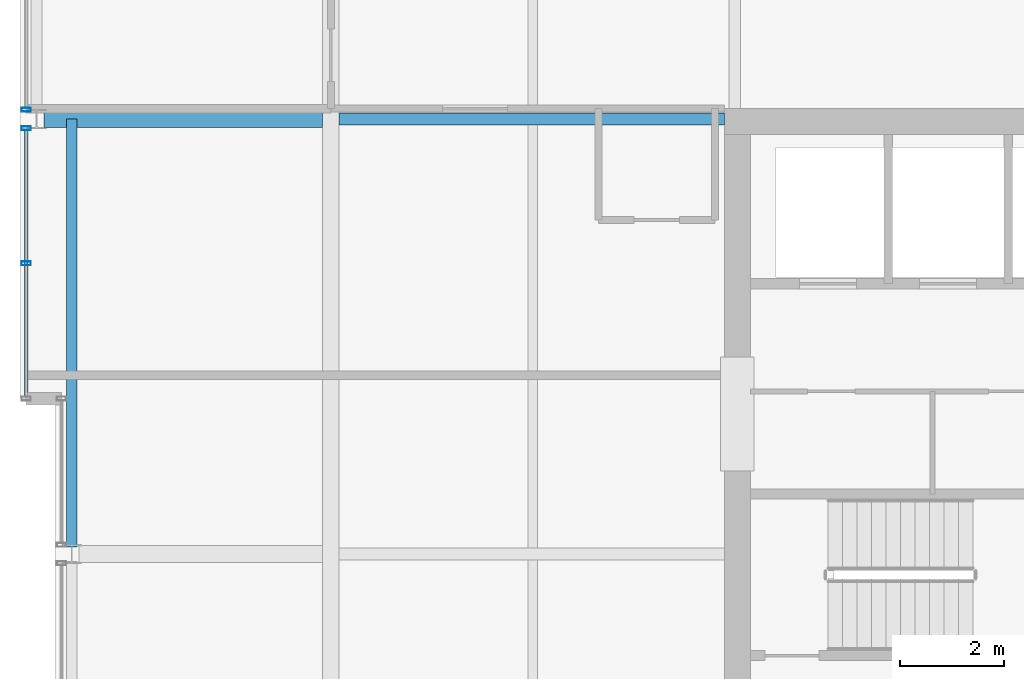
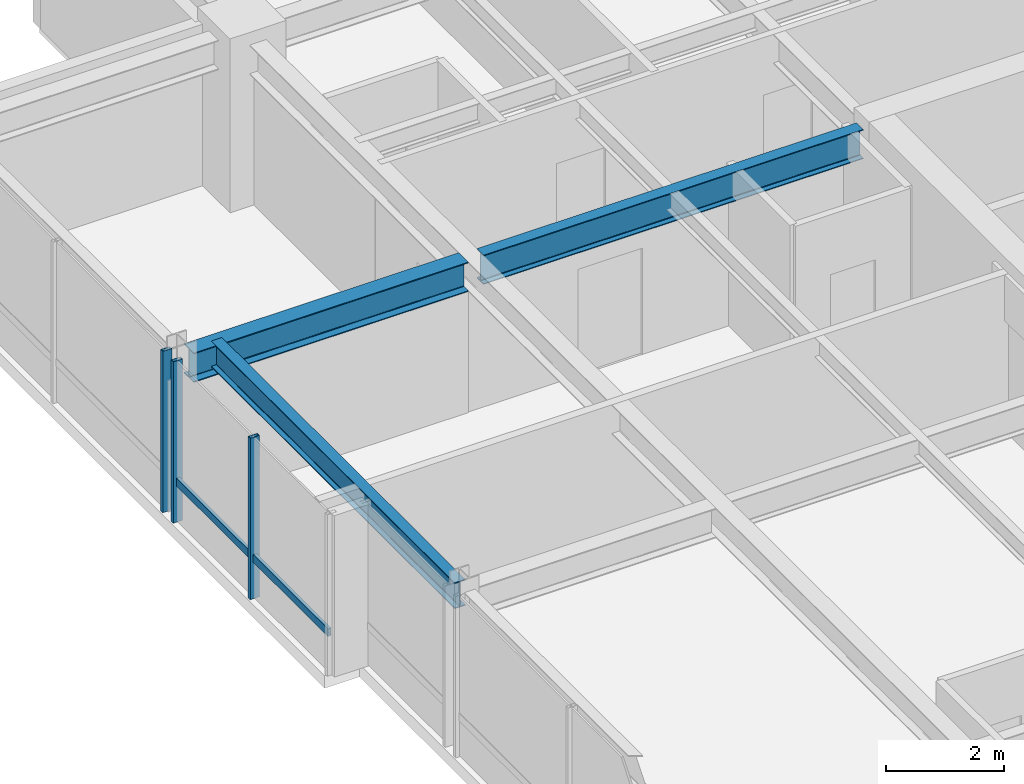
# One storey, part 17 of 32: 4 members, 3 beams, 2 elements without a shape of their own.
"""IFC4 building model written with IfcOpenShell, lengths in metres."""

from ifc_helpers import new_model, si_unit, direction, frame, origin, origin_2d, place, context, subcontext, project, spatial, hollow_rectangle, i_section, extrude, material, layer, layer_set, material_profile, profile_set, type_object, element, aggregate, save


model = new_model("IFC4")

# Units and contexts
model_context = context("Model", 3, precision=1e-05, world=origin(), true_north=direction((0.0, 1.0)))
body_context = subcontext(model_context, "Body", "Model", "MODEL_VIEW")
ifc_project = project(units=[si_unit("LENGTHUNIT", "METRE"), si_unit("AREAUNIT", "SQUARE_METRE"), si_unit("VOLUMEUNIT", "CUBIC_METRE"), si_unit("PLANEANGLEUNIT", "RADIAN"), si_unit("MASSUNIT", "GRAM", prefix="KILO")], contexts=[model_context])

# Site, building, storey
site_placement = place(None, origin())
site = spatial("IfcSite", under=ifc_project, at=site_placement, CompositionType="ELEMENT")
building_placement = place(site_placement, origin())
building = spatial("IfcBuilding", under=site, at=building_placement, Name="Drelvath Grand Hotel", CompositionType="ELEMENT")
storey_placement = place(building_placement, frame((0.0, 0.0, 237.5)))
storey = spatial("IfcBuildingStorey", under=building, at=storey_placement, Name="L62", CompositionType="ELEMENT", Elevation=237.5)

# Curtain wall, members
ifc_material_1 = material(Name="Platinum-Mist Anodised Aluminium Frame", Category="aluminium")
ifc_layer = layer(ifc_material_1, 0.199951171875)
ifc_layer_set = layer_set([ifc_layer], Name="Platinum-Mist Anodised Aluminium Frame")
curtain_wall_type = type_object("IfcCurtainWallType", Name="Stick Curtain Wall CW-05 Platinum Mist High-Rise", PredefinedType="NOTDEFINED", material=ifc_layer_set)
curtain_wall_1_placement = place(storey_placement, origin())
curtain_wall_1 = element("IfcCurtainWall", 1, at=curtain_wall_1_placement, inside=storey, type_object=curtain_wall_type, Name="L62 CW-05 Curtain Wall CW05-L62-WN1", PredefinedType="NOTDEFINED")
ifc_material_profile_1 = material_profile(ifc_material_1, hollow_rectangle(XDim=0.06494140625, YDim=0.159912109375, WallThickness=0.00390625, at=origin_2d()), Name="HSS160X65X4")
ifc_profile_set_1 = profile_set([ifc_material_profile_1], Name="Platinum-Mist Anodised Aluminium Frame")
member_type_1 = type_object("IfcMemberType", Name="Curtain Wall Horizontal Transom CW-05 HSS160X65X4", PredefinedType="USERDEFINED", material=ifc_profile_set_1)
member_1_placement = place(storey_placement, frame((-22.080078125, 30.0400390625, 0.8349609375), z_axis=(0.0, 1.0, 0.0), x_axis=(-1.0, 0.0, 0.0)))
member_1 = element("IfcMember", 2, at=member_1_placement, type_object=member_type_1, Name="CW05-L62-WN1 Sill Transom", ObjectType="TRANSOM", PredefinedType="USERDEFINED", context=body_context, shape_type="SweptSolid", body=[
    extrude(hollow_rectangle(XDim=0.06494140625, YDim=0.159912109375, WallThickness=0.00390625, at=origin_2d()), origin(), (0.0, 0.0, 1.0), 5.141845703125),
])
ifc_material_profile_2 = material_profile(ifc_material_1, hollow_rectangle(XDim=0.074951171875, YDim=0.179931640625, WallThickness=0.0048828125, at=origin_2d()), Name="HSS180X75X5")
ifc_profile_set_2 = profile_set([ifc_material_profile_2], Name="Platinum-Mist Anodised Aluminium Frame")
member_type_2 = type_object("IfcMemberType", Name="Curtain Wall Vertical Mullion CW-05 HSS180X75X5", PredefinedType="MULLION", material=ifc_profile_set_2)
member_2_placement = place(storey_placement, frame((-22.080078125, 32.61083984375, 0.0), z_axis=(0.0, 0.0, 1.0), x_axis=(0.0, 1.0, 0.0)))
member_2 = element("IfcMember", 3, at=member_2_placement, type_object=member_type_2, Name="CW05-L62-WN1 Mullion 2", PredefinedType="MULLION", context=body_context, shape_type="SweptSolid", body=[
    extrude(hollow_rectangle(XDim=0.074951171875, YDim=0.179931640625, WallThickness=0.0048828125, at=origin_2d()), origin(), (0.0, 0.0, 1.0), 3.340087890625),
])
member_3_placement = place(storey_placement, frame((-22.080078125, 35.2216796875, 0.0), z_axis=(0.0, 0.0, 1.0), x_axis=(0.0, 1.0, 0.0)))
member_3 = element("IfcMember", 4, at=member_3_placement, type_object=member_type_2, Name="CW05-L62-WN1 Mullion 3", PredefinedType="MULLION", context=body_context, shape_type="SweptSolid", body=[
    extrude(hollow_rectangle(XDim=0.074951171875, YDim=0.179931640625, WallThickness=0.0048828125, at=origin_2d()), origin(), (0.0, 0.0, 1.0), 3.340087890625),
])
aggregate(curtain_wall_1, [member_2, member_3, member_1])

# Curtain wall, member
curtain_wall_2_placement = place(storey_placement, origin())
curtain_wall_2 = element("IfcCurtainWall", 5, at=curtain_wall_2_placement, inside=storey, type_object=curtain_wall_type, Name="L62 CW-05 Curtain Wall CW05-L62-WN2", PredefinedType="NOTDEFINED")
member_4_placement = place(storey_placement, frame((-22.080078125, 35.578125, 0.0), z_axis=(0.0, 0.0, 1.0), x_axis=(0.0, 1.0, 0.0)))
member_4 = element("IfcMember", 6, at=member_4_placement, type_object=member_type_2, Name="CW05-L62-WN2 Mullion 1", PredefinedType="MULLION", context=body_context, shape_type="SweptSolid", body=[
    extrude(hollow_rectangle(XDim=0.074951171875, YDim=0.179931640625, WallThickness=0.0048828125, at=origin_2d()), origin(), (0.0, 0.0, 1.0), 3.340087890625),
])
aggregate(curtain_wall_2, [member_4])

# Beams
ifc_material_2 = material(Name="Steel ASTM A992 Gr 50", Category="steel")
ifc_material_profile_3 = material_profile(ifc_material_2, i_section(OverallWidth=0.210205078125, OverallDepth=0.53662109375, WebThickness=0.010986328125, FlangeThickness=0.017333984375, FilletRadius=0.01806640625, at=origin_2d()), Name="W21X68")
ifc_profile_set_3 = profile_set([ifc_material_profile_3], Name="Steel ASTM A992 Gr 50")
beam_type_1 = type_object("IfcBeamType", Name="Perimeter Spandrel Beam W21X68", PredefinedType="SPANDREL", material=ifc_profile_set_3)
beam_1_placement = place(storey_placement, frame((-21.199951171875, 27.139892578125, 3.07177734375), z_axis=(0.0, 1.0, 0.0), x_axis=(-1.0, 0.0, 0.0)))
element("IfcBeam", 7, at=beam_1_placement, inside=storey, type_object=beam_type_1, Name="L62 Spandrel West Mid N", PredefinedType="SPANDREL", context=body_context, shape_type="SweptSolid", body=[
    extrude(i_section(OverallWidth=0.210205078125, OverallDepth=0.53662109375, WebThickness=0.010986328125, FlangeThickness=0.017333984375, FilletRadius=0.01806640625, at=origin_2d()), origin(), (0.0, 0.0, 1.0), 8.260009765625),
])
ifc_material_profile_4 = material_profile(ifc_material_2, i_section(OverallWidth=0.323974609375, OverallDepth=0.611083984375, WebThickness=0.0126953125, FlangeThickness=0.01904296875, FilletRadius=0.02197265625, at=origin_2d()), Name="W24X104")
ifc_profile_set_4 = profile_set([ifc_material_profile_4], Name="Steel ASTM A992 Gr 50")
beam_type_2 = type_object("IfcBeamType", Name="Primary Floor Girder W24X104", PredefinedType="BEAM", material=ifc_profile_set_4)
beam_2_placement = place(storey_placement, frame((-21.739990234375, 35.39990234375, 3.034423828125), z_axis=(1.0, 0.0, 0.0), x_axis=(0.0, 1.0, 0.0)))
element("IfcBeam", 8, at=beam_2_placement, inside=storey, type_object=beam_type_2, Name="L62 West Wing Girder F", PredefinedType="BEAM", context=body_context, shape_type="SweptSolid", body=[
    extrude(i_section(OverallWidth=0.323974609375, OverallDepth=0.611083984375, WebThickness=0.0126953125, FlangeThickness=0.01904296875, FilletRadius=0.02197265625, at=origin_2d()), origin(), (0.0, 0.0, 1.0), 5.3779296875),
])
ifc_material_profile_5 = material_profile(ifc_material_2, i_section(OverallWidth=0.228271484375, OverallDepth=0.607666015625, WebThickness=0.01123046875, FlangeThickness=0.017333984375, FilletRadius=0.02001953125, at=origin_2d()), Name="W24X76")
ifc_profile_set_5 = profile_set([ifc_material_profile_5], Name="Steel ASTM A992 Gr 50")
beam_type_3 = type_object("IfcBeamType", Name="Primary Floor Girder W24X76", PredefinedType="BEAM", material=ifc_profile_set_5)
beam_3_placement = place(storey_placement, frame((-16.0380859375, 35.39990234375, 3.0361328125), z_axis=(1.0, 0.0, 0.0), x_axis=(0.0, 1.0, 0.0)))
element("IfcBeam", 9, at=beam_3_placement, inside=storey, type_object=beam_type_3, Name="L62 West Core Tie F", PredefinedType="BEAM", context=body_context, shape_type="SweptSolid", body=[
    extrude(i_section(OverallWidth=0.228271484375, OverallDepth=0.607666015625, WebThickness=0.01123046875, FlangeThickness=0.017333984375, FilletRadius=0.02001953125, at=origin_2d()), origin(), (0.0, 0.0, 1.0), 7.43798828125),
])

save(model, "model.ifc")
